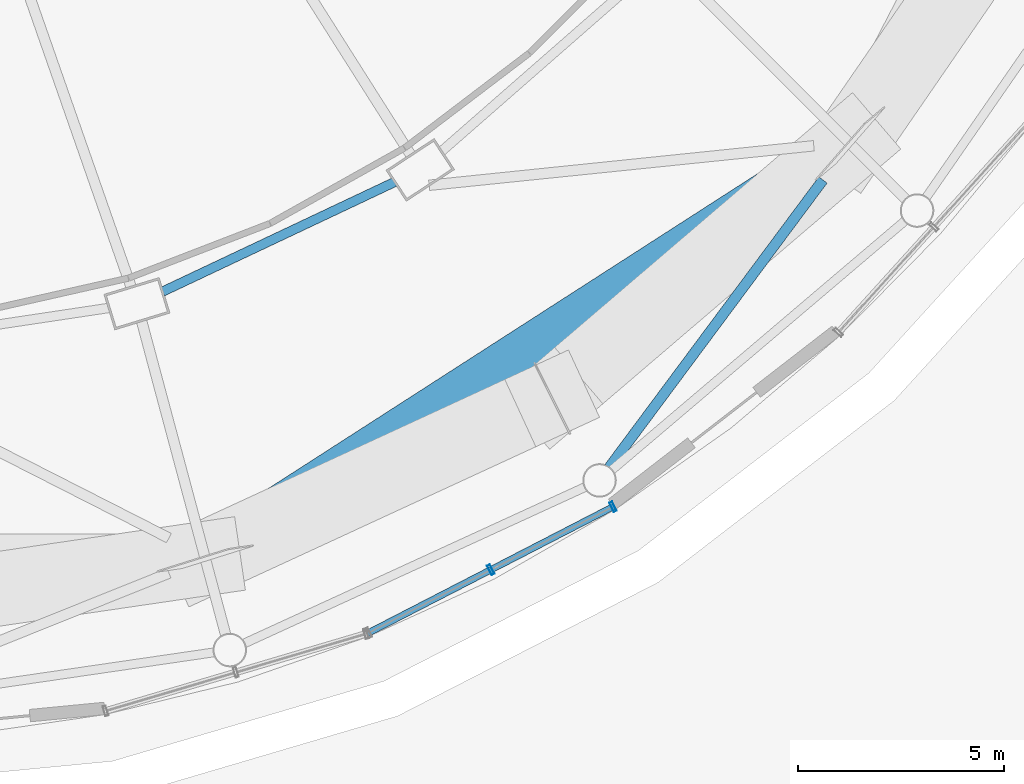
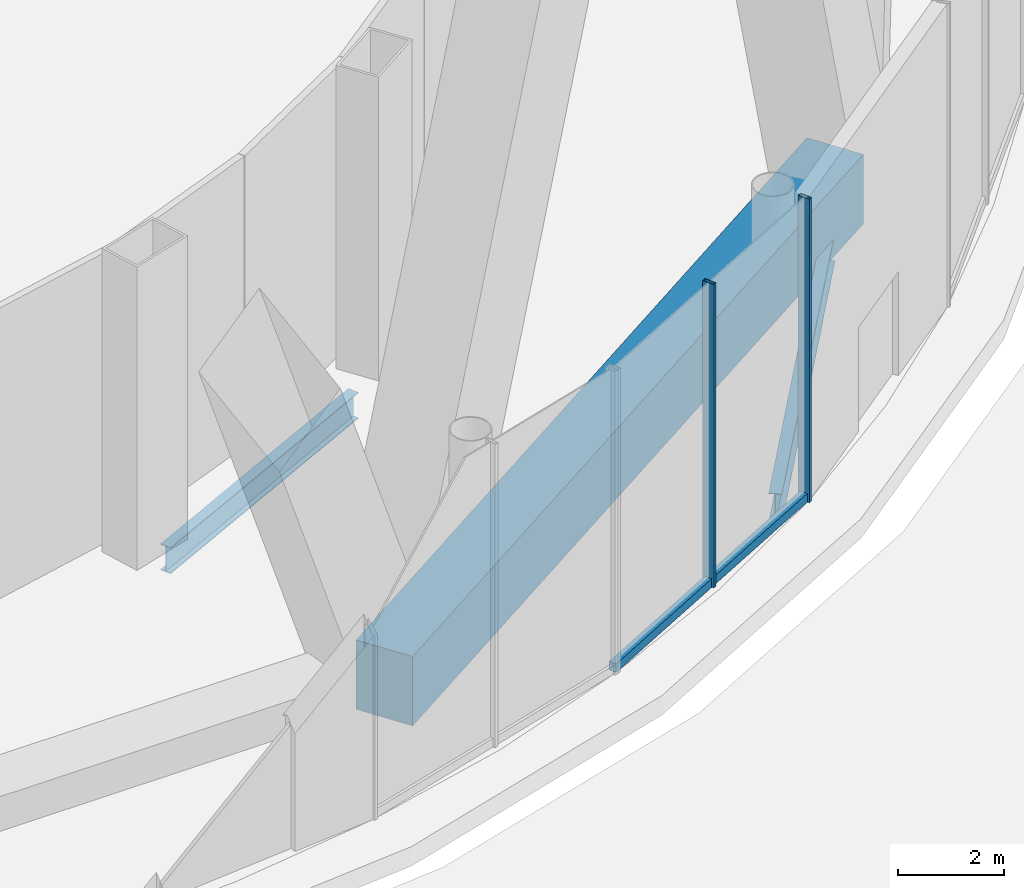
# One storey, part 18 of 67: 4 members, 2 beams, 1 element without a shape of its own.
"""IFC4 building model written with IfcOpenShell, lengths in metres."""

from ifc_helpers import new_model, si_unit, direction, frame, origin, origin_2d, place, context, subcontext, project, spatial, rectangle, hollow_rectangle, i_section, extrude, material, layer, layer_set, material_profile, profile_set, type_object, element, aggregate, save


model = new_model("IFC4")

# Units and contexts
model_context = context("Model", 3, precision=1e-05, world=origin(), true_north=direction((0.0, 1.0)))
body_context = subcontext(model_context, "Body", "Model", "MODEL_VIEW")
ifc_project = project(units=[si_unit("LENGTHUNIT", "METRE"), si_unit("AREAUNIT", "SQUARE_METRE"), si_unit("VOLUMEUNIT", "CUBIC_METRE"), si_unit("PLANEANGLEUNIT", "RADIAN"), si_unit("MASSUNIT", "GRAM", prefix="KILO")], contexts=[model_context])

# Site, building, storey
site_placement = place(None, origin())
site = spatial("IfcSite", under=ifc_project, at=site_placement, CompositionType="ELEMENT")
building_placement = place(site_placement, origin())
building = spatial("IfcBuilding", under=site, at=building_placement, Name="Nagisa Residences", CompositionType="ELEMENT")
storey_placement = place(building_placement, origin())
storey = spatial("IfcBuildingStorey", under=building, at=storey_placement, Name="L00", CompositionType="ELEMENT", Elevation=0.0)

# Beam
ifc_material_1 = material(Name="Steel ASTM A572 Gr 50", Category="steel")
ifc_material_profile_1 = material_profile(ifc_material_1, i_section(OverallWidth=0.2529296875, OverallDepth=0.677978515625, WebThickness=0.01171875, FlangeThickness=0.016357421875, at=origin_2d()), Name="W690x125")
ifc_profile_set_1 = profile_set([ifc_material_profile_1], Name="Steel ASTM A572 Gr 50")
beam_type_1 = type_object("IfcBeamType", Name="Atrium outer beam W690x125", PredefinedType="BEAM", material=ifc_profile_set_1)
beam_1_placement = place(storey_placement, frame((27.62060546875, -28.390380859375, -0.739013671875), z_axis=(-0.596693960534, -0.802468888781, 0.0), x_axis=(0.802468888781, -0.596693960534, 0.0)))
element("IfcBeam", 1, at=beam_1_placement, inside=storey, type_object=beam_type_1, Name="beam:L00:er21b", PredefinedType="BEAM", context=body_context, shape_type="SweptSolid", body=[
    extrude(i_section(OverallWidth=0.2529296875, OverallDepth=0.677978515625, WebThickness=0.01171875, FlangeThickness=0.016357421875, at=origin_2d()), origin(), (0.0, 0.0, 1.0), 8.69775390625),
])

# Curtain wall, members
ifc_material_2 = material(Name="Stainless steel curtain wall system", Category="steel")
ifc_layer = layer(ifc_material_2, 0.159912109375)
ifc_layer_set = layer_set([ifc_layer], Name="CW3 CURTAIN WALL")
curtain_wall_type = type_object("IfcCurtainWallType", Name="CW3 CURTAIN WALL", PredefinedType="NOTDEFINED", material=ifc_layer_set)
curtain_wall_placement = place(storey_placement, origin())
curtain_wall = element("IfcCurtainWall", 2, at=curtain_wall_placement, inside=storey, type_object=curtain_wall_type, Name="cw:CW3:L00:29", PredefinedType="NOTDEFINED")
ifc_material_3 = material(Name="Stainless steel", Category="steel")
ifc_material_profile_2 = material_profile(ifc_material_3, hollow_rectangle(XDim=0.25, YDim=0.080078125, WallThickness=0.008056640625, at=origin_2d()), Name="CW3 MULLION 250x80")
ifc_profile_set_2 = profile_set([ifc_material_profile_2], Name="Stainless steel")
member_type_1 = type_object("IfcMemberType", Name="CW3 MULLION 250x80", PredefinedType="MULLION", material=ifc_profile_set_2)
member_1_placement = place(storey_placement, frame((19.561767578125, -37.848876953125, 0.0), z_axis=(0.0, 0.0, 1.0), x_axis=(-0.45812598783, 0.888887270285, 0.0)))
member_1 = element("IfcMember", 3, at=member_1_placement, type_object=member_type_1, Name="CW3 mullion", PredefinedType="MULLION", context=body_context, shape_type="SweptSolid", body=[
    extrude(hollow_rectangle(XDim=0.25, YDim=0.080078125, WallThickness=0.008056640625, at=origin_2d()), origin(), (0.0, 0.0, 1.0), 7.0),
])
member_2_placement = place(storey_placement, frame((22.52783203125, -36.3203125, 0.0), z_axis=(0.0, 0.0, 1.0), x_axis=(-0.45812598783, 0.888887270285, 0.0)))
member_2 = element("IfcMember", 4, at=member_2_placement, type_object=member_type_1, Name="CW3 mullion", PredefinedType="MULLION", context=body_context, shape_type="SweptSolid", body=[
    extrude(hollow_rectangle(XDim=0.25, YDim=0.080078125, WallThickness=0.008056640625, at=origin_2d()), origin(), (0.0, 0.0, 1.0), 7.0),
])
ifc_material_4 = material(Name="Stainless steel", Category="steel")
ifc_material_profile_3 = material_profile(ifc_material_4, hollow_rectangle(XDim=0.159912109375, YDim=0.199951171875, WallThickness=0.008056640625, at=origin_2d()), Name="CW3 TRANSOM 160x200")
ifc_profile_set_3 = profile_set([ifc_material_profile_3], Name="Stainless steel")
member_type_2 = type_object("IfcMemberType", Name="CW3 TRANSOM 160x200", PredefinedType="USERDEFINED", material=ifc_profile_set_3)
member_3_placement = place(storey_placement, frame((16.56005859375, -39.39599609375, 0.10009765625), z_axis=(0.888887130152, 0.458126259726, 0.0), x_axis=(-0.458126259726, 0.888887130152, 0.0)))
member_3 = element("IfcMember", 5, at=member_3_placement, type_object=member_type_2, Name="CW3 transom", ObjectType="TRANSOM", PredefinedType="USERDEFINED", context=body_context, shape_type="SweptSolid", body=[
    extrude(hollow_rectangle(XDim=0.159912109375, YDim=0.199951171875, WallThickness=0.008056640625, at=origin_2d()), origin(), (0.0, 0.0, 1.0), 6.753662109375),
])
aggregate(curtain_wall, [member_1, member_2, member_3])

# Member
ifc_material_5 = material(Name="Concrete C80", Category="concrete")
ifc_material_profile_4 = material_profile(ifc_material_5, rectangle(XDim=1.199951171875, YDim=1.60009765625, at=origin_2d()), Name="C80 1200x1600")
ifc_profile_set_4 = profile_set([ifc_material_profile_4], Name="Concrete C80")
member_type_3 = type_object("IfcMemberType", Name="Cage ring 1 C80 1200x1600", PredefinedType="CHORD", material=ifc_profile_set_4)
member_4_placement = place(storey_placement, frame((12.6328125, -37.574462890625, 0.0), z_axis=(0.840922992113, 0.541154803485, 0.0), x_axis=(-0.541154803485, 0.840922992113, 0.0)))
element("IfcMember", 6, at=member_4_placement, inside=storey, type_object=member_type_3, Name="beam:L00:cg1r010", PredefinedType="CHORD", context=body_context, shape_type="SweptSolid", body=[
    extrude(rectangle(XDim=1.199951171875, YDim=1.60009765625, at=origin_2d()), origin(), (0.0, 0.0, 1.0), 18.60498046875),
])

# Beam
ifc_material_6 = material(Name="Steel ASTM A572 Gr 50", Category="steel")
ifc_material_profile_5 = material_profile(ifc_material_6, i_section(OverallWidth=0.22802734375, OverallDepth=0.60302734375, WebThickness=0.010498046875, FlangeThickness=0.014892578125, at=origin_2d()), Name="W610x101")
ifc_profile_set_5 = profile_set([ifc_material_profile_5], Name="Steel ASTM A572 Gr 50")
beam_type_2 = type_object("IfcBeamType", Name="Perimeter ring beam W610x101", PredefinedType="BEAM", material=ifc_profile_set_5)
beam_2_placement = place(storey_placement, frame((11.597900390625, -31.098876953125, -0.701416015625), z_axis=(0.904215426643, 0.427076646774, 0.0), x_axis=(-0.427076646774, 0.904215426643, 0.0)))
element("IfcBeam", 7, at=beam_2_placement, inside=storey, type_object=beam_type_2, Name="beam:L00:pb20", PredefinedType="BEAM", context=body_context, shape_type="SweptSolid", body=[
    extrude(i_section(OverallWidth=0.22802734375, OverallDepth=0.60302734375, WebThickness=0.010498046875, FlangeThickness=0.014892578125, at=origin_2d()), origin(), (0.0, 0.0, 1.0), 6.2275390625),
])

save(model, "model.ifc")
